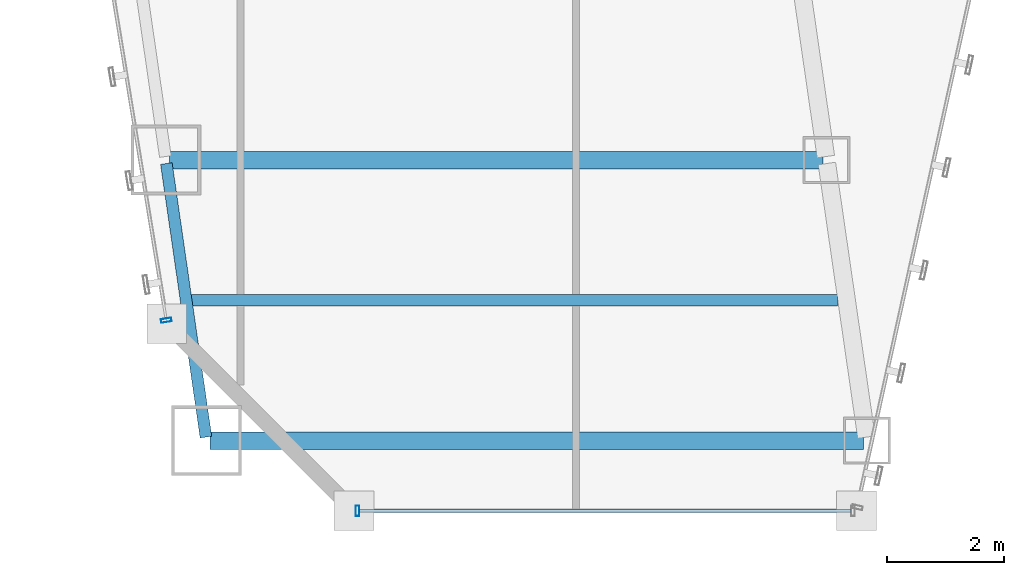
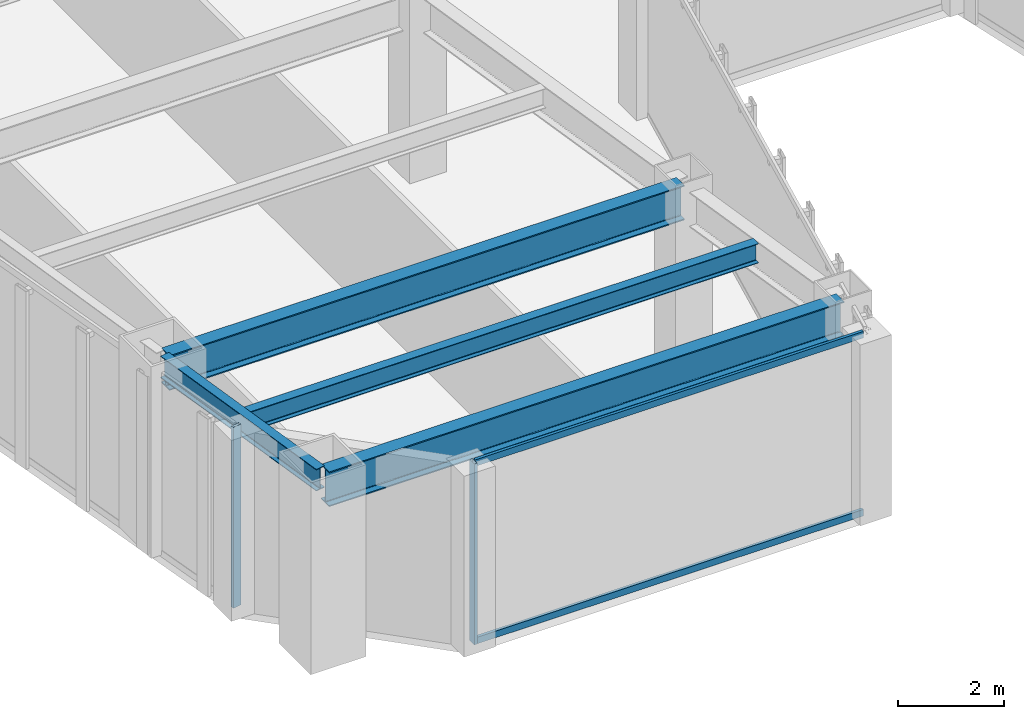
# One storey, part 4 of 47: 4 beams, 4 members, 2 elements without a shape of their own.
"""IFC4 building model written with IfcOpenShell, lengths in metres."""

from ifc_helpers import new_model, si_unit, direction, frame, origin, origin_2d, place, context, subcontext, project, spatial, hollow_rectangle, i_section, extrude, material, material_profile, profile_set, type_object, element, aggregate, save


model = new_model("IFC4")

# Units and contexts
model_context = context("Model", 3, precision=1e-05, world=origin(), true_north=direction((0.0, 1.0)))
body_context = subcontext(model_context, "Body", "Model", "MODEL_VIEW")
ifc_project = project(units=[si_unit("LENGTHUNIT", "METRE"), si_unit("AREAUNIT", "SQUARE_METRE"), si_unit("VOLUMEUNIT", "CUBIC_METRE"), si_unit("PLANEANGLEUNIT", "RADIAN"), si_unit("MASSUNIT", "GRAM", prefix="KILO")], contexts=[model_context])

# Site, building, storey
site_placement = place(None, origin())
site = spatial("IfcSite", under=ifc_project, at=site_placement, CompositionType="ELEMENT")
building_placement = place(site_placement, origin())
building = spatial("IfcBuilding", under=site, at=building_placement, Name="Saevonmaru Cultural Tower", CompositionType="ELEMENT")
storey_placement = place(building_placement, frame((0.0, 0.0, 47.199951171875)))
storey = spatial("IfcBuildingStorey", under=building, at=storey_placement, Name="L09", CompositionType="ELEMENT", Elevation=47.199951171875)

# Beams
ifc_material_1 = material(Name="Steel SM420", Category="steel")
ifc_material_profile_1 = material_profile(ifc_material_1, i_section(OverallWidth=0.300048828125, OverallDepth=0.800048828125, WebThickness=0.013916015625, FlangeThickness=0.02587890625, FilletRadius=0.028076171875, at=origin_2d()), Name="H-800x300x14x26")
ifc_profile_set_1 = profile_set([ifc_material_profile_1], Name="Steel SM420")
beam_type_1 = type_object("IfcBeamType", Name="BM-G-H800", PredefinedType="BEAM", material=ifc_profile_set_1)
for number, where, z_axis, x_axis, name in (
    (1, (12.537109375, 3.199951171875, 3.75), (1.0, 0.0, 0.0), (0.0, 1.0, 0.0), "L09 West Wing Transverse Girder 1"),
    (2, (11.843017578125, 8.0, 3.75), (1.0, 0.0, 0.0), (0.0, 1.0, 0.0), "L09 West Wing Transverse Girder 2"),
):
    element("IfcBeam", number, at=place(storey_placement, frame(where, z_axis=z_axis, x_axis=x_axis)), inside=storey, type_object=beam_type_1, Name=name, PredefinedType="BEAM", context=body_context, shape_type="SweptSolid", body=[
        extrude(i_section(OverallWidth=0.300048828125, OverallDepth=0.800048828125, WebThickness=0.013916015625, FlangeThickness=0.02587890625, FilletRadius=0.028076171875, at=origin_2d()), origin(), (0.0, 0.0, 1.0), 11.179931640625),
    ])
ifc_material_2 = material(Name="Steel SM355", Category="steel")
ifc_material_profile_2 = material_profile(ifc_material_2, i_section(OverallWidth=0.199951171875, OverallDepth=0.449951171875, WebThickness=0.009033203125, FlangeThickness=0.013916015625, FilletRadius=0.01806640625, at=origin_2d()), Name="H-450x200x9x14")
ifc_profile_set_2 = profile_set([ifc_material_profile_2], Name="Steel SM355")
beam_type_2 = type_object("IfcBeamType", Name="BM-J-H450", PredefinedType="JOIST", material=ifc_profile_set_2)
beam_1_placement = place(storey_placement, frame((12.18994140625, 5.60009765625, 3.925048828125), z_axis=(1.0, 0.0, 0.0), x_axis=(0.0, 1.0, 0.0)))
element("IfcBeam", 3, at=beam_1_placement, inside=storey, type_object=beam_type_2, Name="L09 West Wing Floor Joist 1", PredefinedType="JOIST", context=body_context, shape_type="SweptSolid", body=[
    extrude(i_section(OverallWidth=0.199951171875, OverallDepth=0.449951171875, WebThickness=0.009033203125, FlangeThickness=0.013916015625, FilletRadius=0.01806640625, at=origin_2d()), origin(), (0.0, 0.0, 1.0), 11.08203125),
])
ifc_material_profile_3 = material_profile(ifc_material_2, i_section(OverallWidth=0.199951171875, OverallDepth=0.5, WebThickness=0.010009765625, FlangeThickness=0.01611328125, FilletRadius=0.02001953125, at=origin_2d()), Name="H-500x200x10x16")
ifc_profile_set_3 = profile_set([ifc_material_profile_3], Name="Steel SM355")
beam_type_3 = type_object("IfcBeamType", Name="BM-SP-H500", PredefinedType="SPANDREL", material=ifc_profile_set_3)
beam_2_placement = place(storey_placement, frame((12.468505859375, 3.259521484375, 3.900146484375), z_axis=(-0.14313379491, 0.989703347855, 0.0), x_axis=(-0.989703347855, -0.14313379491, 0.0)))
element("IfcBeam", 4, at=beam_2_placement, inside=storey, type_object=beam_type_3, Name="L09 West Splayed Spandrel 1", PredefinedType="SPANDREL", context=body_context, shape_type="SweptSolid", body=[
    extrude(i_section(OverallWidth=0.199951171875, OverallDepth=0.5, WebThickness=0.010009765625, FlangeThickness=0.01611328125, FilletRadius=0.02001953125, at=origin_2d()), origin(), (0.0, 0.0, 1.0), 4.729736328125),
])

# Curtain wall, member
ifc_material_3 = material(Name="Satin Bronze Anodised Aluminium", Category="aluminium")
curtain_wall_type = type_object("IfcCurtainWallType", Name="CW-TYP-A", PredefinedType="NOTDEFINED", material=ifc_material_3)
curtain_wall_1_placement = place(storey_placement, origin())
curtain_wall_1 = element("IfcCurtainWall", 5, at=curtain_wall_1_placement, inside=storey, type_object=curtain_wall_type, Name="L09 Unitised Curtain Wall E2", PredefinedType="NOTDEFINED")
ifc_material_profile_4 = material_profile(ifc_material_3, hollow_rectangle(XDim=0.06494140625, YDim=0.179931640625, WallThickness=0.00390625, at=origin_2d()), Name="ALU-MULL-180x65x4")
ifc_profile_set_4 = profile_set([ifc_material_profile_4], Name="Satin Bronze Anodised Aluminium")
member_type_1 = type_object("IfcMemberType", Name="ML-CW-180x65", PredefinedType="MULLION", material=ifc_profile_set_4)
member_1_placement = place(storey_placement, frame((15.06005859375, 2.0, 0.0), z_axis=(0.0, 0.0, 1.0), x_axis=(1.0, 0.0, 0.0)))
member_1 = element("IfcMember", 6, at=member_1_placement, type_object=member_type_1, Name="CW-TW-L09-E2 mullion 1", PredefinedType="MULLION", context=body_context, shape_type="SweptSolid", body=[
    extrude(hollow_rectangle(XDim=0.06494140625, YDim=0.179931640625, WallThickness=0.00390625, at=origin_2d()), origin(), (0.0, 0.0, 1.0), 4.150146484375),
])

curtain_wall_2_placement = place(storey_placement, origin())
curtain_wall_2 = element("IfcCurtainWall", 7, at=curtain_wall_2_placement, inside=storey, type_object=curtain_wall_type, Name="L09 Unitised Curtain Wall E12", PredefinedType="NOTDEFINED")
member_2_placement = place(storey_placement, frame((11.790283203125, 5.25927734375, 0.0), z_axis=(0.0, 0.0, 1.0), x_axis=(0.161708868641, -0.986838508472, 0.0)))
member_2 = element("IfcMember", 8, at=member_2_placement, type_object=member_type_1, Name="CW-TW-L09-E12 mullion 5", PredefinedType="MULLION", context=body_context, shape_type="SweptSolid", body=[
    extrude(hollow_rectangle(XDim=0.06494140625, YDim=0.179931640625, WallThickness=0.00390625, at=origin_2d()), origin(), (0.0, 0.0, 1.0), 4.150146484375),
])
aggregate(curtain_wall_2, [member_2])

# Member
ifc_material_profile_5 = material_profile(ifc_material_3, hollow_rectangle(XDim=0.06494140625, YDim=0.14990234375, WallThickness=0.00390625, at=origin_2d()), Name="ALU-TRAN-150x65x4")
ifc_profile_set_5 = profile_set([ifc_material_profile_5], Name="Satin Bronze Anodised Aluminium")
member_type_2 = type_object("IfcMemberType", Name="TR-CW-150x65", PredefinedType="USERDEFINED", material=ifc_profile_set_5)
member_3_placement = place(storey_placement, frame((15.092529296875, 2.0, 0.032470703125), z_axis=(1.0, 0.0, 0.0), x_axis=(0.0, 1.0, 0.0)))
member_3 = element("IfcMember", 9, at=member_3_placement, type_object=member_type_2, Name="CW-TW-L09-E2 transom 1.1", ObjectType="TRANSOM", PredefinedType="USERDEFINED", context=body_context, shape_type="SweptSolid", body=[
    extrude(hollow_rectangle(XDim=0.06494140625, YDim=0.14990234375, WallThickness=0.00390625, at=origin_2d()), origin(), (0.0, 0.0, 1.0), 8.4150390625),
])

member_4_placement = place(storey_placement, frame((15.092529296875, 2.0, 4.117431640625), z_axis=(1.0, 0.0, 0.0), x_axis=(0.0, 1.0, 0.0)))
member_4 = element("IfcMember", 10, at=member_4_placement, type_object=member_type_2, Name="CW-TW-L09-E2 transom 1.2", ObjectType="TRANSOM", PredefinedType="USERDEFINED", context=body_context, shape_type="SweptSolid", body=[
    extrude(hollow_rectangle(XDim=0.06494140625, YDim=0.14990234375, WallThickness=0.00390625, at=origin_2d()), origin(), (0.0, 0.0, 1.0), 8.4150390625),
])

aggregate(curtain_wall_1, [member_1, member_3, member_4])

save(model, "model.ifc")
